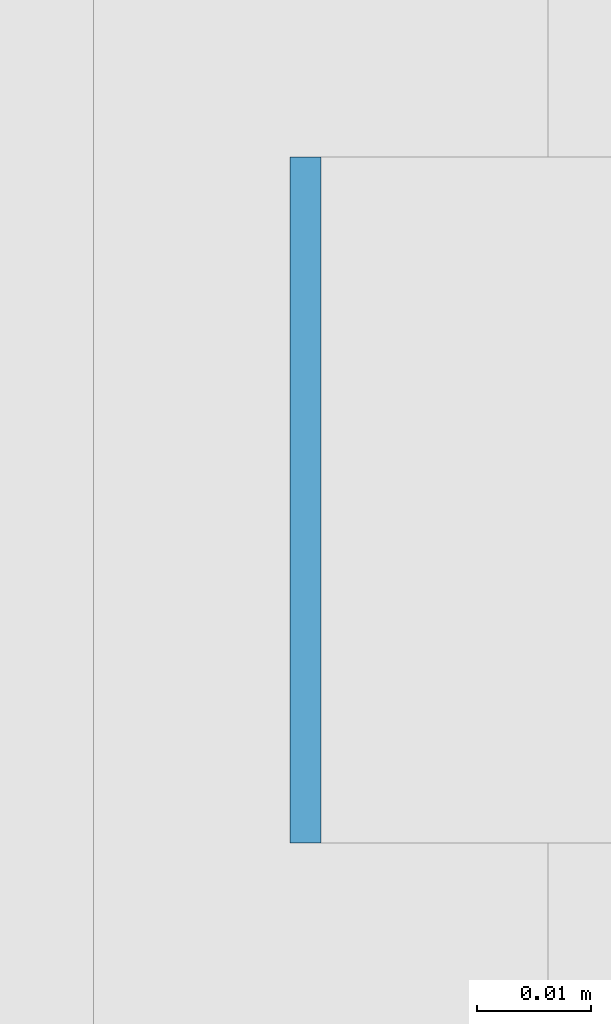
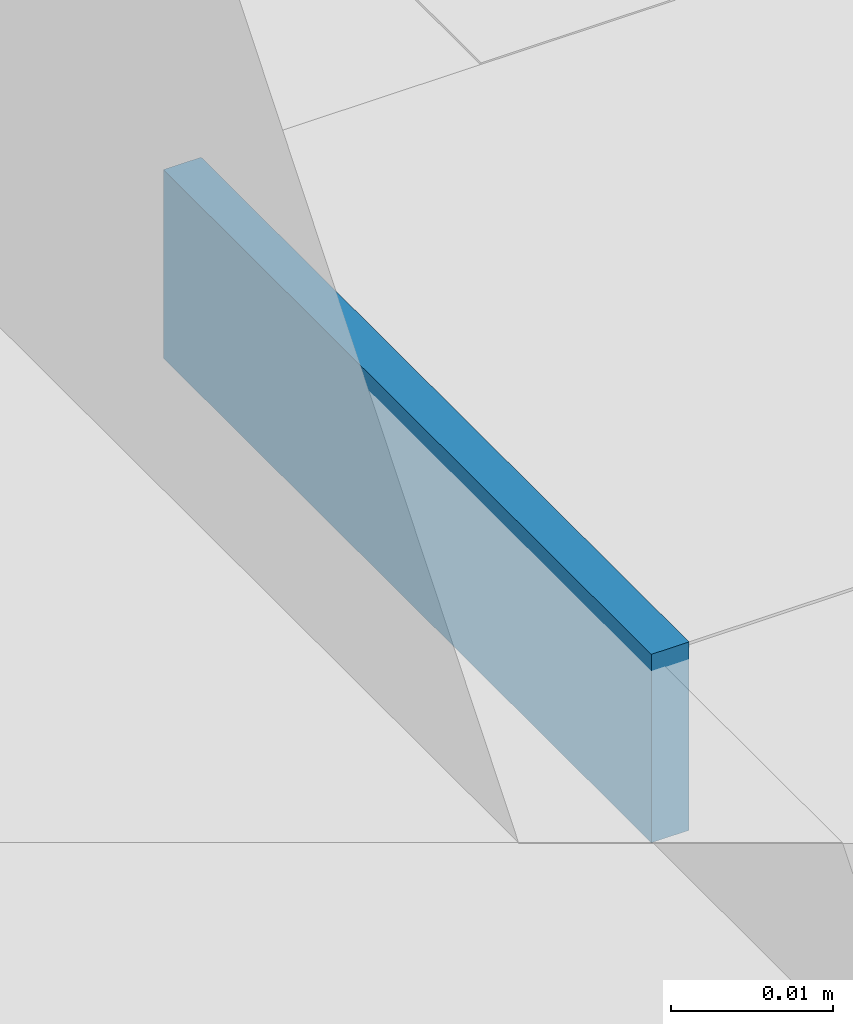
# One storey, part 567 of 646: 1 discrete accessory.
"""IFC4 building model written with IfcOpenShell, lengths in metres."""

import ifcopenshell
import ifcopenshell.guid

model = None  # the IFC model being written
_history = None  # IfcOwnerHistory: only IFC2X3 demands one
_inside = {}  # id of a spatial element -> (the spatial element, [elements in it])
_under = {}  # id of a project, library or spatial element -> (it, [spatial elements below it])
_declared = {}  # id of a project -> (the project, [libraries it declares])
_typed = {}  # id of a type object -> (the type object, [elements of that type])
_made_of = {}  # id of a material, layer set ... -> (it, [elements and type objects made of it])


def new_model(schema):
    """Start an empty IFC model of exactly this schema.

    Asked for "IFC4X3", IfcOpenShell would pick the latest addendum, in which some entities
    have other attributes; the version numbers below select the first issue.
    IFC2X3 requires an IfcOwnerHistory on every rooted entity: one is made here for all.
    """
    global model, _history
    if schema == "IFC4X3":
        model = ifcopenshell.file(schema_version=(4, 3, 0, 0))
    else:
        model = ifcopenshell.file(schema=schema)
    _inside.clear()
    _under.clear()
    _declared.clear()
    _typed.clear()
    _made_of.clear()
    _history = None
    if model.schema == "IFC2X3":
        org = make("IfcOrganization", Name="unknown")
        user = make(
            "IfcPersonAndOrganization",
            ThePerson=make("IfcPerson", FamilyName="unknown"),
            TheOrganization=org,
        )
        app = make(
            "IfcApplication",
            ApplicationDeveloper=org,
            Version="unknown",
            ApplicationFullName="unknown",
            ApplicationIdentifier="unknown",
        )
        _history = make(
            "IfcOwnerHistory",
            OwningUser=user,
            OwningApplication=app,
            ChangeAction="ADDED",
            CreationDate=0,
        )
    return model


def make(cls, **values):
    """One entity of the class cls with the attributes given. An attribute that is None is left unset."""
    return model.create_entity(
        cls, **{name: value for name, value in values.items() if value is not None}
    )


def rooted(cls, **values):
    """An entity with a GlobalId (a new one), such as an element, a storey or a relation."""
    return make(cls, GlobalId=ifcopenshell.guid.new(), OwnerHistory=_history, **values)


def si_unit(unit_type, name, prefix=None):
    """IfcSIUnit, for example si_unit("LENGTHUNIT", "METRE", prefix="MILLI")."""
    return make("IfcSIUnit", UnitType=unit_type, Prefix=prefix, Name=name)


def assignment(units):
    """IfcUnitAssignment: the units of a project."""
    return None if units is None else make("IfcUnitAssignment", Units=units)


def point(xyz):
    """IfcCartesianPoint."""
    return None if xyz is None else make("IfcCartesianPoint", Coordinates=xyz)


def direction(xyz):
    """IfcDirection."""
    return None if xyz is None else make("IfcDirection", DirectionRatios=xyz)


def frame(location, z_axis=None, x_axis=None):
    """IfcAxis2Placement3D, a coordinate frame: its origin and axes. An axis left out is left unset."""
    return make(
        "IfcAxis2Placement3D",
        Location=point(location),
        Axis=direction(z_axis),
        RefDirection=direction(x_axis),
    )


def frame_2d(location, x_axis=None):
    """IfcAxis2Placement2D, a coordinate frame in the plane: its origin and x axis."""
    return make(
        "IfcAxis2Placement2D", Location=point(location), RefDirection=direction(x_axis)
    )


def origin():
    """The frame at (0, 0, 0) with its axes left unset."""
    return frame((0.0, 0.0, 0.0))


def origin_2d():
    """The frame at (0, 0) in the plane with its x axis left unset."""
    return frame_2d((0.0, 0.0))


def place(relative_to, where):
    """IfcLocalPlacement: puts the frame where relative to a parent placement (None: the world)."""
    return make(
        "IfcLocalPlacement", PlacementRelTo=relative_to, RelativePlacement=where
    )


def context(
    kind, dimensions, precision=None, world=None, true_north=None, identifier=None
):
    """IfcGeometricRepresentationContext, for example the 3D "Model" context."""
    return make(
        "IfcGeometricRepresentationContext",
        ContextIdentifier=identifier,
        ContextType=kind,
        CoordinateSpaceDimension=dimensions,
        Precision=precision,
        WorldCoordinateSystem=world,
        TrueNorth=true_north,
    )


def subcontext(parent, identifier, kind, view, scale=None):
    """IfcGeometricRepresentationSubContext, for example "Body" below "Model"."""
    return make(
        "IfcGeometricRepresentationSubContext",
        ContextIdentifier=identifier,
        ContextType=kind,
        ParentContext=parent,
        TargetScale=scale,
        TargetView=view,
    )


def project(units=None, contexts=None):
    """IfcProject with its units and contexts."""
    return rooted(
        "IfcProject",
        Name="project",
        RepresentationContexts=contexts,
        UnitsInContext=assignment(units),
    )


def spatial(cls, under=None, at=None, **own):
    """A site, building, storey or space (cls), placed at a placement, below another one or the project."""
    s = rooted(cls, ObjectPlacement=at, **own)
    if under is not None:
        _under.setdefault(under.id(), (under, []))[1].append(s)
    return s


def profile(cls, at=None, kind="AREA", **sizes):
    """A parametric profile (cls). Its sizes go by their IFC names, for example OverallWidth=200.0."""
    return make(cls, ProfileType=kind, Position=at, **sizes)


def rectangle(**sizes):
    """IfcRectangleProfileDef."""
    return profile("IfcRectangleProfileDef", **sizes)


def extrude(swept, where, along, depth):
    """IfcExtrudedAreaSolid: the profile swept, set in the frame where, extruded along a direction by depth."""
    return make(
        "IfcExtrudedAreaSolid",
        SweptArea=swept,
        Position=where,
        ExtrudedDirection=direction(along),
        Depth=depth,
    )


def shape(context_of_items, identifier, shape_type, items):
    """IfcShapeRepresentation: the items that make up one representation, for example the "Body"."""
    return make(
        "IfcShapeRepresentation",
        ContextOfItems=context_of_items,
        RepresentationIdentifier=identifier,
        RepresentationType=shape_type,
        Items=items,
    )


def material(Name=None, Category=None):
    """IfcMaterial."""
    return make("IfcMaterial", Name=Name, Category=Category)


def made_of(thing, what):
    """Note that an element or type object is made of a material, layer set ...; save() writes the relation."""
    if what is not None:
        _made_of.setdefault(what.id(), (what, []))[1].append(thing)
    return thing


def type_object(cls, material=None, **own):
    """A type object (cls), such as IfcWallType, which elements share."""
    return made_of(rooted(cls, **own), material)


def element(
    cls,
    number,
    at=None,
    inside=None,
    cuts=None,
    type_object=None,
    material=None,
    context=None,
    identifier="Body",
    shape_type=None,
    held_by="IfcProductDefinitionShape",
    body=None,
    shapes=None,
    **own,
):
    """One element of the class cls, such as IfcWall. Its Tag is "e" and its number.

    at: its placement. inside: the storey or other place that contains it. cuts: it is an
    opening in that element (IfcRelVoidsElement). A single representation is given by context,
    identifier, shape_type and body (its items); several are given by shapes. held_by: the class
    of the entity that holds the representations. save() writes the other relations.
    """
    e = rooted(cls, Tag="e%d" % number, ObjectPlacement=at, **own)
    if body is not None:
        shapes = [shape(context, identifier, shape_type, body)]
    if shapes is not None:
        e.Representation = make(held_by, Representations=shapes)
    if inside is not None:
        _inside.setdefault(inside.id(), (inside, []))[1].append(e)
    if cuts is not None:
        rooted(
            "IfcRelVoidsElement", RelatingBuildingElement=cuts, RelatedOpeningElement=e
        )
    if type_object is not None:
        _typed.setdefault(type_object.id(), (type_object, []))[1].append(e)
    return made_of(e, material)


def aggregate(whole, parts):
    """IfcRelAggregates: a whole, such as a stair, and the parts it consists of."""
    return rooted("IfcRelAggregates", RelatingObject=whole, RelatedObjects=parts)


def save(model, path):
    """Write the relations noted so far, then the file.

    IfcRelAggregates (storeys below a building ...), IfcRelContainedInSpatialStructure (elements
    in a storey), IfcRelDefinesByType, IfcRelAssociatesMaterial and IfcRelDeclares: one each for
    every whole, place, type object, material and project.
    """
    for whole, parts in _under.values():
        aggregate(whole, parts)
    for where, things in _inside.values():
        rooted(
            "IfcRelContainedInSpatialStructure",
            RelatedElements=things,
            RelatingStructure=where,
        )
    for kind, things in _typed.values():
        rooted("IfcRelDefinesByType", RelatedObjects=things, RelatingType=kind)
    for what, things in _made_of.values():
        rooted("IfcRelAssociatesMaterial", RelatedObjects=things, RelatingMaterial=what)
    for by, libraries in _declared.values():
        rooted("IfcRelDeclares", RelatingContext=by, RelatedDefinitions=libraries)
    model.write(path)


model = new_model("IFC4")

# Units and contexts
model_context = context("Model", 3, precision=1e-05, world=origin(), true_north=direction((0.0, 1.0)))
body_context = subcontext(model_context, "Body", "Model", "MODEL_VIEW")
ifc_project = project(units=[si_unit("LENGTHUNIT", "METRE"), si_unit("AREAUNIT", "SQUARE_METRE"), si_unit("VOLUMEUNIT", "CUBIC_METRE"), si_unit("PLANEANGLEUNIT", "RADIAN"), si_unit("MASSUNIT", "GRAM", prefix="KILO")], contexts=[model_context])

# Site, building, storey
site_placement = place(None, origin())
site = spatial("IfcSite", under=ifc_project, at=site_placement, CompositionType="ELEMENT")
building_placement = place(site_placement, origin())
building = spatial("IfcBuilding", under=site, at=building_placement, Name="Silverbay Arena", CompositionType="ELEMENT")
storey_placement = place(building_placement, frame((0.0, 0.0, 33.5)))
storey = spatial("IfcBuildingStorey", under=building, at=storey_placement, Name="L05", CompositionType="ELEMENT", Elevation=33.5)

# Discrete accessory
ifc_material = material(Name="Steel S355", Category="steel")
discrete_accessory_type = type_object("IfcDiscreteAccessoryType", Name="Steel bracket plate", PredefinedType="BRACKET", material=ifc_material)
discrete_accessory_placement = place(storey_placement, frame((207.128662109375, 105.428466796875, 12.98583984375), z_axis=(0.0, 0.0, 1.0), x_axis=(1.0, 0.0, 0.0)))
element("IfcDiscreteAccessory", 1, at=discrete_accessory_placement, inside=storey, type_object=discrete_accessory_type, Name="Curtain wall packing plate", PredefinedType="BRACKET", context=body_context, shape_type="SweptSolid", body=[
    extrude(rectangle(XDim=0.002685546875, YDim=0.06005859375, at=origin_2d()), origin(), (0.0, 0.0, 1.0), 0.01416015625),
])

save(model, "model.ifc")
